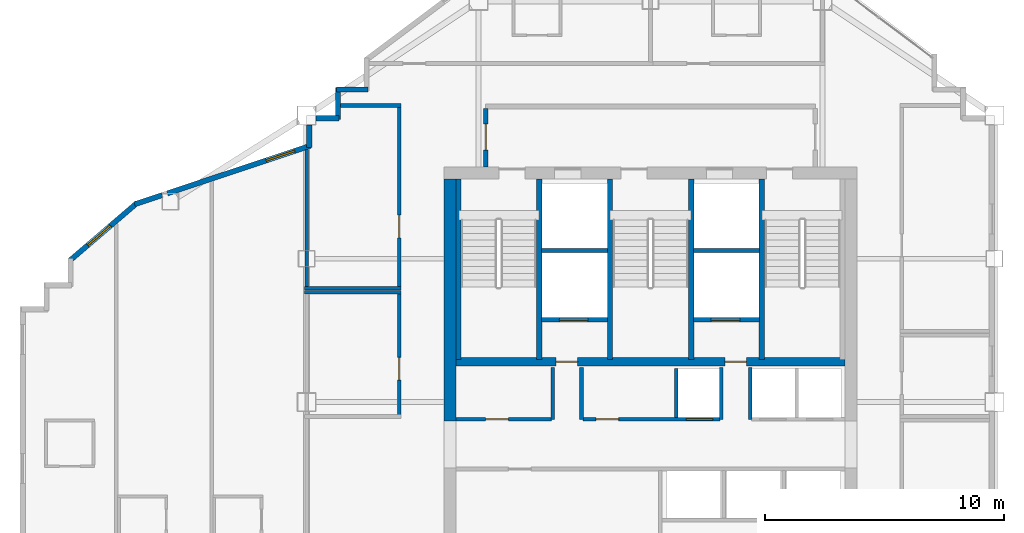
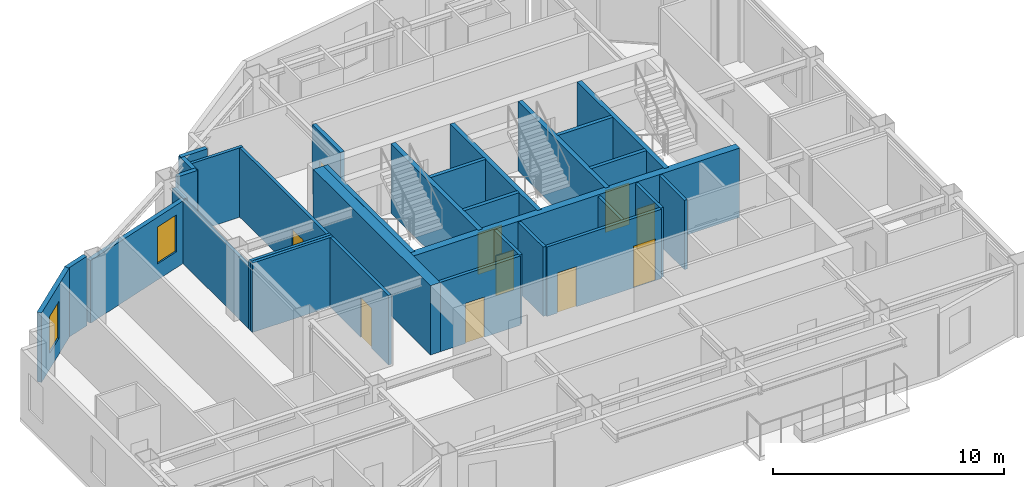
# One storey, part 6 of 9: 32 walls, 10 doors, 2 windows, 12 openings.
"""IFC4 building model written with IfcOpenShell, lengths in metres."""

from ifc_helpers import new_model, si_unit, direction, frame, frame_2d, origin, place, context, subcontext, project, spatial, rectangle, extrude, material, layer, layer_set, type_object, element, fill, save


model = new_model("IFC4")

# Units and contexts
model_context = context("Model", 3, precision=1e-05, world=origin(), true_north=direction((0.0, 1.0)))
body_context = subcontext(model_context, "Body", "Model", "MODEL_VIEW")
ifc_project = project(units=[si_unit("LENGTHUNIT", "METRE"), si_unit("AREAUNIT", "SQUARE_METRE"), si_unit("VOLUMEUNIT", "CUBIC_METRE"), si_unit("PLANEANGLEUNIT", "RADIAN"), si_unit("MASSUNIT", "GRAM", prefix="KILO")], contexts=[model_context])

# Site, building, storey
site_placement = place(None, origin())
site = spatial("IfcSite", under=ifc_project, at=site_placement, CompositionType="ELEMENT")
building_placement = place(site_placement, origin())
building = spatial("IfcBuilding", under=site, at=building_placement, Name="Haolan Belvedere Tower", CompositionType="ELEMENT")
storey_placement = place(building_placement, frame((0.0, 0.0, 269.85009765625)))
storey = spatial("IfcBuildingStorey", under=building, at=storey_placement, Name="L68", CompositionType="ELEMENT", Elevation=269.85009765625)

# Walls
ifc_material_1 = material(Name="Concrete C50/60", Category="concrete")
ifc_layer_1 = layer(ifc_material_1, 0.5, Name="Concrete C50/60")
ifc_layer_set_1 = layer_set([ifc_layer_1], Name="Concrete C50/60")
wall_type_1 = type_object("IfcWallType", Name="WL-CORE-500", PredefinedType="SHEAR", material=ifc_layer_set_1)
wall_1_placement = place(storey_placement, frame((30.0, 32.800048828125, 0.0), z_axis=(0.0, 0.0, 1.0), x_axis=(0.0, 1.0, 0.0)))
element("IfcWall", 1, at=wall_1_placement, inside=storey, type_object=wall_type_1, Name="L68 central core shear wall WN", PredefinedType="SHEAR", context=body_context, shape_type="SweptSolid", body=[
    extrude(rectangle(XDim=10.14990234375, YDim=0.5, at=frame_2d((5.074951171875, 0.0))), origin(), (0.0, 0.0, 1.0), 3.669921875),
])
ifc_material_2 = material(Name="Precast concrete C40/50", Category="concrete")
ifc_layer_2 = layer(ifc_material_2, 0.219970703125, Name="Precast concrete C40/50")
ifc_layer_set_2 = layer_set([ifc_layer_2], Name="Precast concrete C40/50")
wall_type_2 = type_object("IfcWallType", Name="WL-EXT-220", PredefinedType="SOLIDWALL", material=ifc_layer_set_2)
for number, where, z_axis, x_axis, name in (
    (2, (26.56494140625, 46.68994140625, 0.0), (0.0, 0.0, 1.0), (-1.0, 0.0, 0.0), "L68 pale-metal exterior spandrel wall 13.1"),
    (3, (25.31005859375, 46.7451171875, 0.0), (0.0, 0.0, 1.0), (0.0, -1.0, 0.0), "L68 pale-metal exterior spandrel wall 14.1"),
):
    element("IfcWall", number, at=place(storey_placement, frame(where, z_axis=z_axis, x_axis=x_axis)), inside=storey, type_object=wall_type_2, Name=name, PredefinedType="SOLIDWALL", context=body_context, shape_type="SweptSolid", body=[
        extrude(rectangle(XDim=1.31005859375, YDim=0.219970703125, at=frame_2d((0.655029296875, 0.0))), origin(), (0.0, 0.0, 1.0), 3.669921875),
    ])
wall_2_placement = place(storey_placement, frame((25.364990234375, 45.489990234375, 0.0), z_axis=(0.0, 0.0, 1.0), x_axis=(-1.0, 0.0, 0.0)))
element("IfcWall", 4, at=wall_2_placement, inside=storey, type_object=wall_type_2, Name="L68 pale-metal exterior spandrel wall 15.1", PredefinedType="SOLIDWALL", context=body_context, shape_type="SweptSolid", body=[
    extrude(rectangle(XDim=0.972900390625, YDim=0.219970703125, at=frame_2d((0.486328125, 0.0))), origin(), (0.0, 0.0, 1.0), 3.669921875),
])
wall_3_placement = place(storey_placement, frame((24.110107421875, 45.2080078125, 0.0), z_axis=(0.0, 0.0, 1.0), x_axis=(0.0, -1.0, 0.0)))
element("IfcWall", 5, at=wall_3_placement, inside=storey, type_object=wall_type_2, Name="L68 pale-metal exterior spandrel wall 16.1", PredefinedType="SOLIDWALL", context=body_context, shape_type="SweptSolid", body=[
    extrude(rectangle(XDim=0.9423828125, YDim=0.219970703125, at=frame_2d((0.47119140625, 0.0))), origin(), (0.0, 0.0, 1.0), 3.31494140625),
])

# Wall, opening, window
wall_4_placement = place(storey_placement, frame((24.162109375, 44.338134765625, 0.0), z_axis=(0.0, 0.0, 1.0), x_axis=(-0.948687165594, -0.31621616315, 0.0)))
wall_4 = element("IfcWall", 6, at=wall_4_placement, inside=storey, type_object=wall_type_2, Name="L68 pale-metal exterior spandrel wall 17.1", PredefinedType="SOLIDWALL", context=body_context, shape_type="SweptSolid", body=[
    extrude(rectangle(XDim=6.3125, YDim=0.219970703125, at=frame_2d((3.15625, 0.0))), origin(), (0.0, 0.0, 1.0), 3.31494140625),
])
opening_1_placement = place(wall_4_placement, frame((0.699951171875, 0.0, 0.85009765625)))
opening_1 = element("IfcOpeningElement", 7, at=opening_1_placement, cuts=wall_4, Name="Opening W-04", PredefinedType="OPENING", context=body_context, shape_type="SweptSolid", body=[
    extrude(rectangle(XDim=1.25, YDim=1.949951171875, at=frame_2d((0.625, 0.97509765625))), frame((0.0, 0.119873046875, 0.0), z_axis=(0.0, -1.0, 0.0), x_axis=(1.0, 0.0, 0.0)), (0.0, 0.0, 1.0), 0.239990234375),
])
ifc_material_3 = material(Name="Anodised aluminium 6063-T6 and Low-E glass", Category="aluminium")
window_type = type_object("IfcWindowType", Name="WN-DECO-Z4", PartitioningType="SINGLE_PANEL", PredefinedType="WINDOW", material=ifc_material_3)
window_1_placement = place(opening_1_placement, origin())
window_1 = element("IfcWindow", 8, at=window_1_placement, inside=storey, type_object=window_type, Name="L68 Art Deco chevron window 1", OverallHeight=1.949951171875, OverallWidth=1.25, PartitioningType="SINGLE_PANEL", PredefinedType="WINDOW", context=body_context, shape_type="SweptSolid", body=[
    extrude(rectangle(XDim=1.25, YDim=1.949951171875, at=frame_2d((0.625, 0.97509765625))), frame((0.0, 0.030029296875, 0.0), z_axis=(0.0, -1.0, 0.0), x_axis=(1.0, 0.0, 0.0)), (0.0, 0.0, 1.0), 0.06005859375),
])
fill(opening_1, window_1)

# Wall
wall_5_placement = place(storey_placement, frame((17.9580078125, 42.27001953125, 0.0), z_axis=(0.0, 0.0, 1.0), x_axis=(-0.948683298051, -0.316227766017, 0.0)))
element("IfcWall", 9, at=wall_5_placement, inside=storey, type_object=wall_type_2, Name="L68 pale-metal exterior spandrel wall 17.2", PredefinedType="SOLIDWALL", context=body_context, shape_type="SweptSolid", body=[
    extrude(rectangle(XDim=1.217529296875, YDim=0.219970703125, at=frame_2d((0.60888671875, 0.0))), origin(), (0.0, 0.0, 1.0), 3.669921875),
])

# Wall, opening, window
wall_6_placement = place(storey_placement, frame((16.89697265625, 41.938232421875, 0.0), z_axis=(0.0, 0.0, 1.0), x_axis=(-0.759279729622, -0.650764390686, 0.0)))
wall_6 = element("IfcWall", 10, at=wall_6_placement, inside=storey, type_object=wall_type_2, Name="L68 pale-metal exterior spandrel wall 18.1", PredefinedType="SOLIDWALL", context=body_context, shape_type="SweptSolid", body=[
    extrude(rectangle(XDim=3.725830078125, YDim=0.219970703125, at=frame_2d((1.86279296875, 0.0))), origin(), (0.0, 0.0, 1.0), 3.669921875),
])
opening_2_placement = place(wall_6_placement, frame((1.46435546875, 0.0, 0.85009765625)))
opening_2 = element("IfcOpeningElement", 11, at=opening_2_placement, cuts=wall_6, Name="Opening W-04", PredefinedType="OPENING", context=body_context, shape_type="SweptSolid", body=[
    extrude(rectangle(XDim=1.25, YDim=1.949951171875, at=frame_2d((0.625, 0.97509765625))), frame((0.0, 0.119873046875, 0.0), z_axis=(0.0, -1.0, 0.0), x_axis=(1.0, 0.0, 0.0)), (0.0, 0.0, 1.0), 0.239990234375),
])
window_2_placement = place(opening_2_placement, origin())
window_2 = element("IfcWindow", 12, at=window_2_placement, inside=storey, type_object=window_type, Name="L68 Art Deco chevron window 1", OverallHeight=1.949951171875, OverallWidth=1.25, PartitioningType="SINGLE_PANEL", PredefinedType="WINDOW", context=body_context, shape_type="SweptSolid", body=[
    extrude(rectangle(XDim=1.25, YDim=1.949951171875, at=frame_2d((0.625, 0.97509765625))), frame((0.0, 0.030029296875, 0.0), z_axis=(0.0, -1.0, 0.0), x_axis=(1.0, 0.0, 0.0)), (0.0, 0.0, 1.0), 0.06005859375),
])
fill(opening_2, window_2)

# Wall, opening, door
ifc_material_4 = material(Name="Concrete C40/50", Category="concrete")
ifc_layer_3 = layer(ifc_material_4, 0.199951171875, Name="Concrete C40/50")
ifc_layer_set_3 = layer_set([ifc_layer_3], Name="Concrete C40/50")
wall_type_3 = type_object("IfcWallType", Name="WL-FIRE-200", PredefinedType="SOLIDWALL", material=ifc_layer_set_3)
wall_7_placement = place(storey_placement, frame((31.5, 43.449951171875, 0.0), z_axis=(0.0, 0.0, 1.0), x_axis=(0.0, 1.0, 0.0)))
wall_7 = element("IfcWall", 13, at=wall_7_placement, inside=storey, type_object=wall_type_3, Name="L68 interior partition IW-L68-FFL-W", PredefinedType="SOLIDWALL", context=body_context, shape_type="SweptSolid", body=[
    extrude(rectangle(XDim=2.445068359375, YDim=0.199951171875, at=frame_2d((1.22265625, 0.0))), origin(), (0.0, 0.0, 1.0), 3.669921875),
])
opening_3_placement = place(wall_7_placement, frame((1.800048828125, 0.0, 0.0), z_axis=(0.0, 0.0, 1.0), x_axis=(-1.0, 0.0, 0.0)))
opening_3 = element("IfcOpeningElement", 14, at=opening_3_placement, cuts=wall_7, Name="Opening FD-03", PredefinedType="OPENING", context=body_context, shape_type="SweptSolid", body=[
    extrude(rectangle(XDim=1.10009765625, YDim=2.14990234375, at=frame_2d((0.550048828125, 1.074951171875))), frame((0.0, 0.10986328125, 0.0), z_axis=(0.0, -1.0, 0.0), x_axis=(1.0, 0.0, 0.0)), (0.0, 0.0, 1.0), 0.219970703125),
])
ifc_material_5 = material(Name="Galvanised fire-rated steel", Category="steel")
door_type_1 = type_object("IfcDoorType", Name="DR-FD90-1100", OperationType="NOTDEFINED", PredefinedType="DOOR", material=ifc_material_5)
door_1_placement = place(opening_3_placement, origin())
door_1 = element("IfcDoor", 15, at=door_1_placement, inside=storey, type_object=door_type_1, Name="L68 door ID-L68-FFL-DW", OperationType="SINGLE_SWING_LEFT", OverallHeight=2.14990234375, OverallWidth=1.10009765625, PredefinedType="DOOR", context=body_context, shape_type="SweptSolid", body=[
    extrude(rectangle(XDim=1.10009765625, YDim=2.14990234375, at=frame_2d((0.550048828125, 1.074951171875))), frame((0.0, 0.02490234375, 0.0), z_axis=(0.0, -1.0, 0.0), x_axis=(1.0, 0.0, 0.0)), (0.0, 0.0, 1.0), 0.050048828125),
])
fill(opening_3, door_1)

# Wall
ifc_material_6 = material(Name="Double gypsum acoustic stud partition", Category="masonry")
ifc_layer_4 = layer(ifc_material_6, 0.14990234375, Name="Double gypsum acoustic stud partition")
ifc_layer_set_4 = layer_set([ifc_layer_4], Name="Double gypsum acoustic stud partition")
wall_type_4 = type_object("IfcWallType", Name="WL-PART-150", PredefinedType="PARTITIONING", material=ifc_layer_set_4)
wall_8_placement = place(storey_placement, frame((23.919921875, 38.199951171875, 0.0), z_axis=(0.0, 0.0, 1.0), x_axis=(1.0, 0.0, 0.0)))
element("IfcWall", 16, at=wall_8_placement, inside=storey, type_object=wall_type_4, Name="L68 interior partition IW-L68-HSK-N", PredefinedType="PARTITIONING", context=body_context, shape_type="SweptSolid", body=[
    extrude(rectangle(XDim=4.0400390625, YDim=0.14990234375, at=frame_2d((2.02001953125, 0.0))), origin(), (0.0, 0.0, 1.0), 3.669921875),
])

# Wall, opening, door
wall_9_placement = place(storey_placement, frame((27.8798828125, 33.06005859375, 0.0), z_axis=(0.0, 0.0, 1.0), x_axis=(0.0, 1.0, 0.0)))
wall_9 = element("IfcWall", 17, at=wall_9_placement, inside=storey, type_object=wall_type_4, Name="L68 interior partition IW-L68-HSK-E", PredefinedType="PARTITIONING", context=body_context, shape_type="SweptSolid", body=[
    extrude(rectangle(XDim=5.079833984375, YDim=0.14990234375, at=frame_2d((2.5400390625, 0.0))), origin(), (0.0, 0.0, 1.0), 3.669921875),
])
opening_4_placement = place(wall_9_placement, frame((2.409912109375, 0.0, 0.0), z_axis=(0.0, 0.0, 1.0), x_axis=(-1.0, 0.0, 0.0)))
opening_4 = element("IfcOpeningElement", 18, at=opening_4_placement, cuts=wall_9, Name="Opening ID-03", PredefinedType="OPENING", context=body_context, shape_type="SweptSolid", body=[
    extrude(rectangle(XDim=0.949951171875, YDim=2.1201171875, at=frame_2d((0.47509765625, 1.06005859375))), frame((0.0, 0.0849609375, 0.0), z_axis=(0.0, -1.0, 0.0), x_axis=(1.0, 0.0, 0.0)), (0.0, 0.0, 1.0), 0.169921875),
])
ifc_material_7 = material(Name="Painted solid-core timber", Category="wood")
door_type_2 = type_object("IfcDoorType", Name="DR-INT-950", OperationType="NOTDEFINED", PredefinedType="DOOR", material=ifc_material_7)
door_2_placement = place(opening_4_placement, origin())
door_2 = element("IfcDoor", 19, at=door_2_placement, inside=storey, type_object=door_type_2, Name="L68 door ID-L68-HSK", OperationType="SINGLE_SWING_LEFT", OverallHeight=2.1201171875, OverallWidth=0.949951171875, PredefinedType="DOOR", context=body_context, shape_type="SweptSolid", body=[
    extrude(rectangle(XDim=0.949951171875, YDim=2.1201171875, at=frame_2d((0.47509765625, 1.06005859375))), frame((0.0, 0.02490234375, 0.0), z_axis=(0.0, -1.0, 0.0), x_axis=(1.0, 0.0, 0.0)), (0.0, 0.0, 1.0), 0.050048828125),
])
fill(opening_4, door_2)

# Walls
wall_10_placement = place(storey_placement, frame((25.412109375, 46.02001953125, 0.0), z_axis=(0.0, 0.0, 1.0), x_axis=(1.0, 0.0, 0.0)))
element("IfcWall", 20, at=wall_10_placement, inside=storey, type_object=wall_type_4, Name="L68 interior partition IW-L68-VLT-N", PredefinedType="PARTITIONING", context=body_context, shape_type="SweptSolid", body=[
    extrude(rectangle(XDim=2.5478515625, YDim=0.14990234375, at=frame_2d((1.27392578125, 0.0))), origin(), (0.0, 0.0, 1.0), 3.669921875),
])
wall_11_placement = place(storey_placement, frame((23.919921875, 38.360107421875, 0.0), z_axis=(0.0, 0.0, 1.0), x_axis=(1.0, 0.0, 0.0)))
element("IfcWall", 21, at=wall_11_placement, inside=storey, type_object=wall_type_4, Name="L68 interior partition IW-L68-VLT-S", PredefinedType="PARTITIONING", context=body_context, shape_type="SweptSolid", body=[
    extrude(rectangle(XDim=4.0400390625, YDim=0.14990234375, at=frame_2d((2.02001953125, 0.0))), origin(), (0.0, 0.0, 1.0), 3.669921875),
])
wall_12_placement = place(storey_placement, frame((24.0, 38.419921875, 0.0), z_axis=(0.0, 0.0, 1.0), x_axis=(0.0, 1.0, 0.0)))
element("IfcWall", 22, at=wall_12_placement, inside=storey, type_object=wall_type_4, Name="L68 interior partition IW-L68-VLT-W", PredefinedType="PARTITIONING", context=body_context, shape_type="SweptSolid", body=[
    extrude(rectangle(XDim=5.756591796875, YDim=0.14990234375, at=frame_2d((2.87841796875, 0.0))), origin(), (0.0, 0.0, 1.0), 3.31494140625),
])

# Wall, opening, door
wall_13_placement = place(storey_placement, frame((27.8798828125, 38.419921875, 0.0), z_axis=(0.0, 0.0, 1.0), x_axis=(0.0, 1.0, 0.0)))
wall_13 = element("IfcWall", 23, at=wall_13_placement, inside=storey, type_object=wall_type_4, Name="L68 interior partition IW-L68-VLT-E", PredefinedType="PARTITIONING", context=body_context, shape_type="SweptSolid", body=[
    extrude(rectangle(XDim=7.5400390625, YDim=0.14990234375, at=frame_2d((3.77001953125, 0.0))), origin(), (0.0, 0.0, 1.0), 3.669921875),
])
opening_5_placement = place(wall_13_placement, frame((3.010009765625, 0.0, 0.0), z_axis=(0.0, 0.0, 1.0), x_axis=(-1.0, 0.0, 0.0)))
opening_5 = element("IfcOpeningElement", 24, at=opening_5_placement, cuts=wall_13, Name="Opening ID-03", PredefinedType="OPENING", context=body_context, shape_type="SweptSolid", body=[
    extrude(rectangle(XDim=0.949951171875, YDim=2.1201171875, at=frame_2d((0.47509765625, 1.06005859375))), frame((0.0, 0.0849609375, 0.0), z_axis=(0.0, -1.0, 0.0), x_axis=(1.0, 0.0, 0.0)), (0.0, 0.0, 1.0), 0.169921875),
])
door_3_placement = place(opening_5_placement, origin())
door_3 = element("IfcDoor", 25, at=door_3_placement, inside=storey, type_object=door_type_2, Name="L68 door ID-L68-VLT", OperationType="SINGLE_SWING_RIGHT", OverallHeight=2.1201171875, OverallWidth=0.949951171875, PredefinedType="DOOR", context=body_context, shape_type="SweptSolid", body=[
    extrude(rectangle(XDim=0.949951171875, YDim=2.1201171875, at=frame_2d((0.47509765625, 1.06005859375))), frame((0.0, 0.02490234375, 0.0), z_axis=(0.0, -1.0, 0.0), x_axis=(1.0, 0.0, 0.0)), (0.0, 0.0, 1.0), 0.050048828125),
])
fill(opening_5, door_3)

# Walls
ifc_material_8 = material(Name="Gypsum fire shaftwall assembly", Category="masonry")
ifc_layer_5 = layer(ifc_material_8, 0.1650390625, Name="Gypsum fire shaftwall assembly")
ifc_layer_set_5 = layer_set([ifc_layer_5], Name="Gypsum fire shaftwall assembly")
wall_type_5 = type_object("IfcWallType", Name="WL-SHAFT-160", PredefinedType="SOLIDWALL", material=ifc_layer_set_5)
for number, where, z_axis, x_axis, name in (
    (26, (34.31005859375, 32.8798828125, 0.0), (0.0, 0.0, 1.0), (0.0, 1.0, 0.0), "L68 interior partition IW-L68-SVP-W-SV1"),
    (27, (35.510009765625, 32.8798828125, 0.0), (0.0, 0.0, 1.0), (0.0, 1.0, 0.0), "L68 interior partition IW-L68-SVP-E-SV1"),
    (28, (41.3701171875, 32.8798828125, 0.0), (0.0, 0.0, 1.0), (0.0, 1.0, 0.0), "L68 interior partition IW-L68-SVP-W-SV2"),
    (29, (42.570068359375, 32.8798828125, 0.0), (0.0, 0.0, 1.0), (0.0, 1.0, 0.0), "L68 interior partition IW-L68-SVP-E-SV2"),
):
    element("IfcWall", number, at=place(storey_placement, frame(where, z_axis=z_axis, x_axis=x_axis)), inside=storey, type_object=wall_type_5, Name=name, PredefinedType="SOLIDWALL", context=body_context, shape_type="SweptSolid", body=[
        extrude(rectangle(XDim=2.170166015625, YDim=0.14990234375, at=frame_2d((1.0849609375, 0.0))), origin(), (0.0, 0.0, 1.0), 3.669921875),
    ])

# Wall, opening, door
wall_14_placement = place(storey_placement, frame((30.25, 32.8798828125, 0.0), z_axis=(0.0, 0.0, 1.0), x_axis=(1.0, 0.0, 0.0)))
wall_14 = element("IfcWall", 30, at=wall_14_placement, inside=storey, type_object=wall_type_5, Name="L68 interior partition IW-L68-ROW-PN1", PredefinedType="SOLIDWALL", context=body_context, shape_type="SweptSolid", body=[
    extrude(rectangle(XDim=4.0, YDim=0.159912109375, at=frame_2d((2.0, 0.0))), origin(), (0.0, 0.0, 1.0), 3.669921875),
])
opening_6_placement = place(wall_14_placement, frame((2.199951171875, 0.0, 0.0), z_axis=(0.0, 0.0, 1.0), x_axis=(-1.0, 0.0, 0.0)))
opening_6 = element("IfcOpeningElement", 31, at=opening_6_placement, cuts=wall_14, Name="Opening ID-03", PredefinedType="OPENING", context=body_context, shape_type="SweptSolid", body=[
    extrude(rectangle(XDim=0.949951171875, YDim=2.1201171875, at=frame_2d((0.47509765625, 1.06005859375))), frame((0.0, 0.08984375, 0.0), z_axis=(0.0, -1.0, 0.0), x_axis=(1.0, 0.0, 0.0)), (0.0, 0.0, 1.0), 0.179931640625),
])
door_4_placement = place(opening_6_placement, origin())
door_4 = element("IfcDoor", 32, at=door_4_placement, inside=storey, type_object=door_type_2, Name="L68 door ID-L68-CD-RPLW", OperationType="SINGLE_SWING_LEFT", OverallHeight=2.1201171875, OverallWidth=0.949951171875, PredefinedType="DOOR", context=body_context, shape_type="SweptSolid", body=[
    extrude(rectangle(XDim=0.949951171875, YDim=2.1201171875, at=frame_2d((0.47509765625, 1.06005859375))), frame((0.0, 0.02490234375, 0.0), z_axis=(0.0, -1.0, 0.0), x_axis=(1.0, 0.0, 0.0)), (0.0, 0.0, 1.0), 0.050048828125),
])
fill(opening_6, door_4)

# Wall, openings, doors
wall_15_placement = place(storey_placement, frame((35.570068359375, 32.8798828125, 0.0), z_axis=(0.0, 0.0, 1.0), x_axis=(1.0, 0.0, 0.0)))
wall_15 = element("IfcWall", 33, at=wall_15_placement, inside=storey, type_object=wall_type_5, Name="L68 interior partition IW-L68-ROW-PN2", PredefinedType="SOLIDWALL", context=body_context, shape_type="SweptSolid", body=[
    extrude(rectangle(XDim=5.739990234375, YDim=0.159912109375, at=frame_2d((2.8701171875, 0.0))), origin(), (0.0, 0.0, 1.0), 3.669921875),
])
opening_7_placement = place(wall_15_placement, frame((1.489990234375, 0.0, 0.0), z_axis=(0.0, 0.0, 1.0), x_axis=(-1.0, 0.0, 0.0)))
opening_7 = element("IfcOpeningElement", 34, at=opening_7_placement, cuts=wall_15, Name="Opening ID-03", PredefinedType="OPENING", context=body_context, shape_type="SweptSolid", body=[
    extrude(rectangle(XDim=0.949951171875, YDim=2.1201171875, at=frame_2d((0.47509765625, 1.06005859375))), frame((0.0, 0.08984375, 0.0), z_axis=(0.0, -1.0, 0.0), x_axis=(1.0, 0.0, 0.0)), (0.0, 0.0, 1.0), 0.179931640625),
])
opening_8_placement = place(wall_15_placement, frame((5.43017578125, 0.0, 0.0), z_axis=(0.0, 0.0, 1.0), x_axis=(-1.0, 0.0, 0.0)))
opening_8 = element("IfcOpeningElement", 35, at=opening_8_placement, cuts=wall_15, Name="Opening LD-01", PredefinedType="OPENING", context=body_context, shape_type="SweptSolid", body=[
    extrude(rectangle(XDim=1.10009765625, YDim=2.199951171875, at=frame_2d((0.550048828125, 1.10009765625))), frame((0.0, 0.08984375, 0.0), z_axis=(0.0, -1.0, 0.0), x_axis=(1.0, 0.0, 0.0)), (0.0, 0.0, 1.0), 0.179931640625),
])
door_5_placement = place(opening_7_placement, origin())
door_5 = element("IfcDoor", 36, at=door_5_placement, inside=storey, type_object=door_type_2, Name="L68 door ID-L68-CD-RPLE", OperationType="SINGLE_SWING_RIGHT", OverallHeight=2.1201171875, OverallWidth=0.949951171875, PredefinedType="DOOR", context=body_context, shape_type="SweptSolid", body=[
    extrude(rectangle(XDim=0.949951171875, YDim=2.1201171875, at=frame_2d((0.47509765625, 1.06005859375))), frame((0.0, 0.02490234375, 0.0), z_axis=(0.0, -1.0, 0.0), x_axis=(1.0, 0.0, 0.0)), (0.0, 0.0, 1.0), 0.050048828125),
])
fill(opening_7, door_5)
ifc_material_9 = material(Name="Brushed champagne stainless steel 316L", Category="steel")
door_type_3 = type_object("IfcDoorType", Name="DR-LIFT-1100", OperationType="SLIDING_TO_LEFT", PredefinedType="DOOR", material=ifc_material_9)
door_6_placement = place(opening_8_placement, origin())
door_6 = element("IfcDoor", 37, at=door_6_placement, inside=storey, type_object=door_type_3, Name="L68 door ID-L68-LD-PH1", OperationType="SLIDING_TO_RIGHT", OverallHeight=2.199951171875, OverallWidth=1.10009765625, PredefinedType="DOOR", context=body_context, shape_type="SweptSolid", body=[
    extrude(rectangle(XDim=1.10009765625, YDim=2.199951171875, at=frame_2d((0.550048828125, 1.10009765625))), frame((0.0, 0.02490234375, 0.0), z_axis=(0.0, -1.0, 0.0), x_axis=(1.0, 0.0, 0.0)), (0.0, 0.0, 1.0), 0.050048828125),
])
fill(opening_8, door_6)

# Walls
wall_16_placement = place(storey_placement, frame((39.469970703125, 32.949951171875, 0.0), z_axis=(0.0, 0.0, 1.0), x_axis=(0.0, 1.0, 0.0)))
element("IfcWall", 38, at=wall_16_placement, inside=storey, type_object=wall_type_5, Name="L68 interior partition IW-L68-DIV-PL4R", PredefinedType="SOLIDWALL", context=body_context, shape_type="SweptSolid", body=[
    extrude(rectangle(XDim=2.050048828125, YDim=0.14990234375, at=frame_2d((1.02490234375, 0.0))), origin(), (0.0, 0.0, 1.0), 3.669921875),
])
ifc_layer_6 = layer(ifc_material_2, 0.179931640625, Name="Precast concrete C40/50")
ifc_layer_set_6 = layer_set([ifc_layer_6], Name="Precast concrete C40/50")
wall_type_6 = type_object("IfcWallType", Name="WL-SHAFT-180", PredefinedType="SOLIDWALL", material=ifc_layer_set_6)
for number, where, z_axis, x_axis, name in (
    (39, (33.8349609375, 39.949951171875, 0.0), (0.0, 0.0, 1.0), (1.0, 0.0, 0.0), "L68 interior partition IW-L68-FF1-S"),
    (40, (40.195068359375, 39.949951171875, 0.0), (0.0, 0.0, 1.0), (1.0, 0.0, 0.0), "L68 interior partition IW-L68-FF2-S"),
):
    element("IfcWall", number, at=place(storey_placement, frame(where, z_axis=z_axis, x_axis=x_axis)), inside=storey, type_object=wall_type_6, Name=name, PredefinedType="SOLIDWALL", context=body_context, shape_type="SweptSolid", body=[
        extrude(rectangle(XDim=2.77001953125, YDim=0.179931640625, at=frame_2d((1.385009765625, 0.0))), origin(), (0.0, 0.0, 1.0), 3.669921875),
    ])

# Wall, opening, door
wall_17_placement = place(storey_placement, frame((33.8349609375, 37.050048828125, 0.0), z_axis=(0.0, 0.0, 1.0), x_axis=(1.0, 0.0, 0.0)))
wall_17 = element("IfcWall", 41, at=wall_17_placement, inside=storey, type_object=wall_type_6, Name="L68 interior partition IW-L68-SV1-S", PredefinedType="SOLIDWALL", context=body_context, shape_type="SweptSolid", body=[
    extrude(rectangle(XDim=2.77001953125, YDim=0.179931640625, at=frame_2d((1.385009765625, 0.0))), origin(), (0.0, 0.0, 1.0), 3.669921875),
])
opening_9_placement = place(wall_17_placement, frame((1.945068359375, 0.0, 0.0), z_axis=(0.0, 0.0, 1.0), x_axis=(-1.0, 0.0, 0.0)))
opening_9 = element("IfcOpeningElement", 42, at=opening_9_placement, cuts=wall_17, Name="Opening LD-02", PredefinedType="OPENING", context=body_context, shape_type="SweptSolid", body=[
    extrude(rectangle(XDim=1.199951171875, YDim=2.199951171875, at=frame_2d((0.60009765625, 1.10009765625))), frame((0.0, 0.099853515625, 0.0), z_axis=(0.0, -1.0, 0.0), x_axis=(1.0, 0.0, 0.0)), (0.0, 0.0, 1.0), 0.199951171875),
])
door_type_4 = type_object("IfcDoorType", Name="DR-LIFT-1200", OperationType="SLIDING_TO_RIGHT", PredefinedType="DOOR", material=ifc_material_9)
door_7_placement = place(opening_9_placement, origin())
door_7 = element("IfcDoor", 43, at=door_7_placement, inside=storey, type_object=door_type_4, Name="L68 door ID-L68-LD-SV1", OperationType="SLIDING_TO_RIGHT", OverallHeight=2.199951171875, OverallWidth=1.199951171875, PredefinedType="DOOR", context=body_context, shape_type="SweptSolid", body=[
    extrude(rectangle(XDim=1.199951171875, YDim=2.199951171875, at=frame_2d((0.60009765625, 1.10009765625))), frame((0.0, 0.02490234375, 0.0), z_axis=(0.0, -1.0, 0.0), x_axis=(1.0, 0.0, 0.0)), (0.0, 0.0, 1.0), 0.050048828125),
])
fill(opening_9, door_7)

wall_18_placement = place(storey_placement, frame((40.195068359375, 37.050048828125, 0.0), z_axis=(0.0, 0.0, 1.0), x_axis=(1.0, 0.0, 0.0)))
wall_18 = element("IfcWall", 44, at=wall_18_placement, inside=storey, type_object=wall_type_6, Name="L68 interior partition IW-L68-SV2-S", PredefinedType="SOLIDWALL", context=body_context, shape_type="SweptSolid", body=[
    extrude(rectangle(XDim=2.77001953125, YDim=0.179931640625, at=frame_2d((1.385009765625, 0.0))), origin(), (0.0, 0.0, 1.0), 3.669921875),
])
opening_10_placement = place(wall_18_placement, frame((1.945068359375, 0.0, 0.0), z_axis=(0.0, 0.0, 1.0), x_axis=(-1.0, 0.0, 0.0)))
opening_10 = element("IfcOpeningElement", 45, at=opening_10_placement, cuts=wall_18, Name="Opening LD-02", PredefinedType="OPENING", context=body_context, shape_type="SweptSolid", body=[
    extrude(rectangle(XDim=1.199951171875, YDim=2.199951171875, at=frame_2d((0.60009765625, 1.10009765625))), frame((0.0, 0.099853515625, 0.0), z_axis=(0.0, -1.0, 0.0), x_axis=(1.0, 0.0, 0.0)), (0.0, 0.0, 1.0), 0.199951171875),
])
door_8_placement = place(opening_10_placement, origin())
door_8 = element("IfcDoor", 46, at=door_8_placement, inside=storey, type_object=door_type_4, Name="L68 door ID-L68-LD-SV2", OperationType="SLIDING_TO_RIGHT", OverallHeight=2.199951171875, OverallWidth=1.199951171875, PredefinedType="DOOR", context=body_context, shape_type="SweptSolid", body=[
    extrude(rectangle(XDim=1.199951171875, YDim=2.199951171875, at=frame_2d((0.60009765625, 1.10009765625))), frame((0.0, 0.02490234375, 0.0), z_axis=(0.0, -1.0, 0.0), x_axis=(1.0, 0.0, 0.0)), (0.0, 0.0, 1.0), 0.050048828125),
])
fill(opening_10, door_8)

# Walls
ifc_layer_7 = layer(ifc_material_1, 0.219970703125, Name="Concrete C50/60")
ifc_layer_set_7 = layer_set([ifc_layer_7], Name="Concrete C50/60")
wall_type_7 = type_object("IfcWallType", Name="WL-STAIR-220", PredefinedType="SHEAR", material=ifc_layer_set_7)
for number, where, z_axis, x_axis, name in (
    (47, (30.362060546875, 35.389892578125, 0.0), (0.0, 0.0, 1.0), (0.0, 1.0, 0.0), "L68 structural stair core wall ST1W"),
    (48, (33.739990234375, 35.389892578125, 0.0), (0.0, 0.0, 1.0), (0.0, 1.0, 0.0), "L68 structural stair core wall ST1E"),
    (49, (36.699951171875, 35.389892578125, 0.0), (0.0, 0.0, 1.0), (0.0, 1.0, 0.0), "L68 structural stair core wall ST3W"),
    (50, (40.10009765625, 35.389892578125, 0.0), (0.0, 0.0, 1.0), (0.0, 1.0, 0.0), "L68 structural stair core wall ST3E"),
    (51, (43.06005859375, 35.389892578125, 0.0), (0.0, 0.0, 1.0), (0.0, 1.0, 0.0), "L68 structural stair core wall ST2W"),
):
    element("IfcWall", number, at=place(storey_placement, frame(where, z_axis=z_axis, x_axis=x_axis)), inside=storey, type_object=wall_type_7, Name=name, PredefinedType="SHEAR", context=body_context, shape_type="SweptSolid", body=[
        extrude(rectangle(XDim=7.56005859375, YDim=0.219970703125, at=frame_2d((3.780029296875, 0.0))), origin(), (0.0, 0.0, 1.0), 3.669921875),
    ])

# Wall, openings, doors
ifc_material_10 = material(Name="Concrete C60/75", Category="concrete")
ifc_layer_8 = layer(ifc_material_10, 0.360107421875, Name="Concrete C60/75")
ifc_layer_set_8 = layer_set([ifc_layer_8], Name="Concrete C60/75")
wall_type_8 = type_object("IfcWallType", Name="WL-WEB-350", PredefinedType="SHEAR", material=ifc_layer_set_8)
wall_19_placement = place(storey_placement, frame((30.25, 35.2900390625, 0.0), z_axis=(0.0, 0.0, 1.0), x_axis=(1.0, 0.0, 0.0)))
wall_19 = element("IfcWall", 52, at=wall_19_placement, inside=storey, type_object=wall_type_8, Name="L68 central core internal shear web", PredefinedType="SHEAR", context=body_context, shape_type="SweptSolid", body=[
    extrude(rectangle(XDim=16.300048828125, YDim=0.360107421875, at=frame_2d((8.14990234375, 0.0))), origin(), (0.0, 0.0, 1.0), 3.669921875),
])
opening_11_placement = place(wall_19_placement, frame((5.099853515625, 0.0, 0.0), z_axis=(0.0, 0.0, 1.0), x_axis=(-1.0, 0.0, 0.0)))
opening_11 = element("IfcOpeningElement", 53, at=opening_11_placement, cuts=wall_19, Name="Opening FD-05", PredefinedType="OPENING", context=body_context, shape_type="SweptSolid", body=[
    extrude(rectangle(XDim=0.89990234375, YDim=2.10009765625, at=frame_2d((0.449951171875, 1.050048828125))), frame((0.0, 0.18994140625, 0.0), z_axis=(0.0, -1.0, 0.0), x_axis=(1.0, 0.0, 0.0)), (0.0, 0.0, 1.0), 0.380126953125),
])
opening_12_placement = place(wall_19_placement, frame((12.159912109375, 0.0, 0.0), z_axis=(0.0, 0.0, 1.0), x_axis=(-1.0, 0.0, 0.0)))
opening_12 = element("IfcOpeningElement", 54, at=opening_12_placement, cuts=wall_19, Name="Opening FD-05", PredefinedType="OPENING", context=body_context, shape_type="SweptSolid", body=[
    extrude(rectangle(XDim=0.89990234375, YDim=2.10009765625, at=frame_2d((0.449951171875, 1.050048828125))), frame((0.0, 0.18994140625, 0.0), z_axis=(0.0, -1.0, 0.0), x_axis=(1.0, 0.0, 0.0)), (0.0, 0.0, 1.0), 0.380126953125),
])
door_type_5 = type_object("IfcDoorType", Name="DR-FD60-900", OperationType="NOTDEFINED", PredefinedType="DOOR", material=ifc_material_5)
door_9_placement = place(opening_11_placement, origin())
door_9 = element("IfcDoor", 55, at=door_9_placement, inside=storey, type_object=door_type_5, Name="L68 door CD-L68-SVL-SV1", OperationType="SINGLE_SWING_RIGHT", OverallHeight=2.10009765625, OverallWidth=0.89990234375, PredefinedType="DOOR", context=body_context, shape_type="SweptSolid", body=[
    extrude(rectangle(XDim=0.89990234375, YDim=2.10009765625, at=frame_2d((0.449951171875, 1.050048828125))), frame((0.0, 0.02490234375, 0.0), z_axis=(0.0, -1.0, 0.0), x_axis=(1.0, 0.0, 0.0)), (0.0, 0.0, 1.0), 0.050048828125),
])
fill(opening_11, door_9)
door_10_placement = place(opening_12_placement, origin())
door_10 = element("IfcDoor", 56, at=door_10_placement, inside=storey, type_object=door_type_5, Name="L68 door CD-L68-SVL-SV2", OperationType="SINGLE_SWING_RIGHT", OverallHeight=2.10009765625, OverallWidth=0.89990234375, PredefinedType="DOOR", context=body_context, shape_type="SweptSolid", body=[
    extrude(rectangle(XDim=0.89990234375, YDim=2.10009765625, at=frame_2d((0.449951171875, 1.050048828125))), frame((0.0, 0.02490234375, 0.0), z_axis=(0.0, -1.0, 0.0), x_axis=(1.0, 0.0, 0.0)), (0.0, 0.0, 1.0), 0.050048828125),
])
fill(opening_12, door_10)

save(model, "model.ifc")
